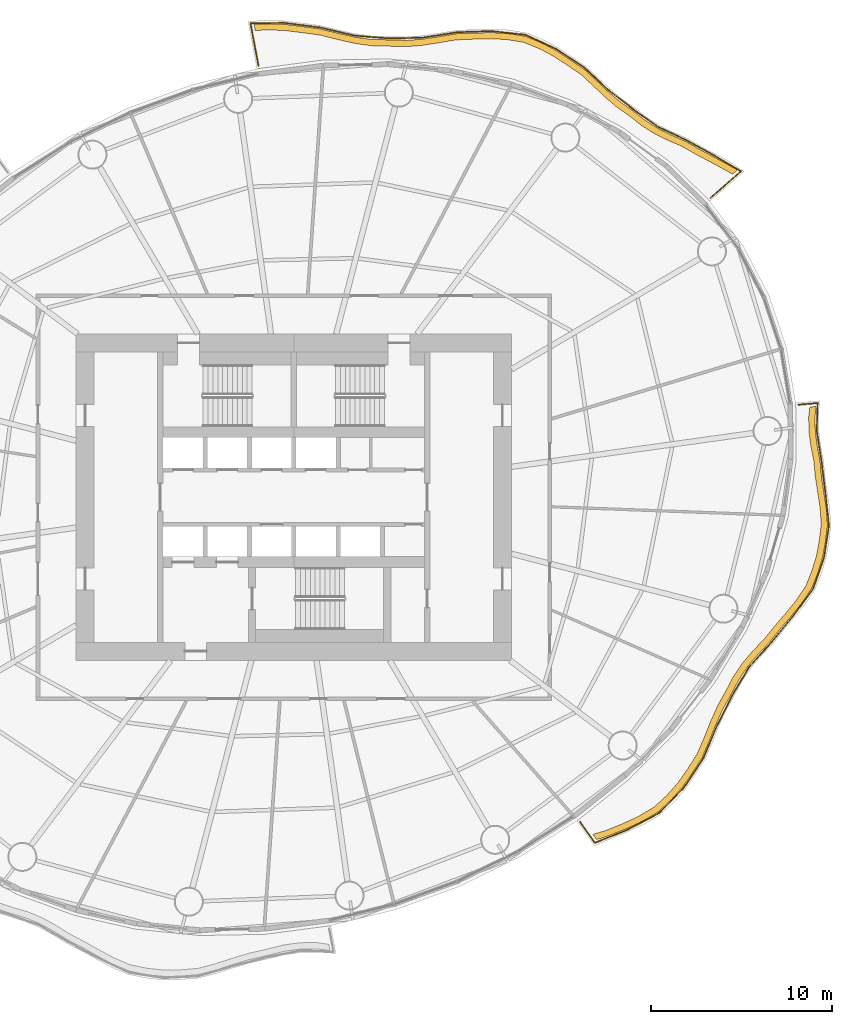
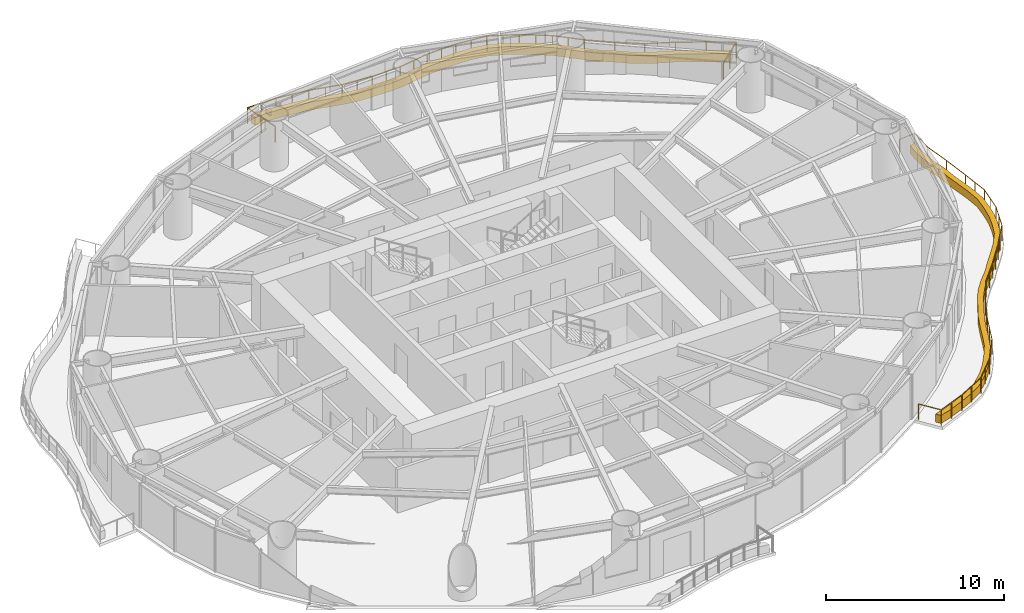
# One storey, part 14 of 14: 2 coverings, 2 railings.
"""IFC4 building model written with IfcOpenShell, lengths in metres."""

from ifc_helpers import new_model, si_unit, direction, frame, origin, origin_2d, place, context, subcontext, project, spatial, polyline, circle, outline, extrude, material, type_object, element, save


model = new_model("IFC4")

# Units and contexts
model_context = context("Model", 3, precision=1e-05, world=origin(), true_north=direction((0.0, 1.0)))
body_context = subcontext(model_context, "Body", "Model", "MODEL_VIEW")
ifc_project = project(units=[si_unit("LENGTHUNIT", "METRE"), si_unit("AREAUNIT", "SQUARE_METRE"), si_unit("VOLUMEUNIT", "CUBIC_METRE"), si_unit("PLANEANGLEUNIT", "RADIAN"), si_unit("MASSUNIT", "GRAM", prefix="KILO")], contexts=[model_context])

# Site, building, storey
site_placement = place(None, origin())
site = spatial("IfcSite", under=ifc_project, at=site_placement, CompositionType="ELEMENT")
building_placement = place(site_placement, origin())
building = spatial("IfcBuilding", under=site, at=building_placement, Name="Vermilion Reach Broadcast Tower", CompositionType="ELEMENT")
storey_placement = place(building_placement, frame((0.0, 0.0, 124.60009765625)))
storey = spatial("IfcBuildingStorey", under=building, at=storey_placement, Name="L29", CompositionType="ELEMENT", Elevation=124.60009765625)

# Coverings
ifc_material_1 = material(Name="Planting soil and greenery")
covering_type = type_object("IfcCoveringType", Name="Balcony PLANTER", PredefinedType="USERDEFINED", material=ifc_material_1)
placement = place(storey_placement, origin())
element("IfcCovering", 1, at=placement, inside=storey, type_object=covering_type, Name="PLANTER L29 group 1", ObjectType="PLANTER", PredefinedType="USERDEFINED", context=body_context, shape_type="SweptSolid", body=[
    extrude(outline(polyline([(18.453857421875, 18.035888671875), (17.857177734375, 18.369140625), (17.144287109375, 18.758544921875), (16.419921875, 19.13671875), (15.6279296875, 19.59765625), (14.78173828125, 19.97216796875), (14.05859375, 20.334716796875), (13.381103515625, 20.76025390625), (12.6904296875, 21.29931640625), (11.95166015625, 21.817626953125), (11.313720703125, 22.3623046875), (10.697265625, 22.9482421875), (9.977783203125, 23.6083984375), (9.15234375, 24.164306640625), (8.429443359375, 24.6337890625), (7.681640625, 25.03515625), (6.755859375, 25.40771484375), (5.747802734375, 25.5693359375), (4.873779296875, 25.610107421875), (3.98486328125, 25.5849609375), (2.983154296875, 25.547607421875), (1.971923828125, 25.382568359375), (1.07177734375, 25.24462890625), (0.178466796875, 25.1767578125), (-0.766845703125, 25.2080078125), (-1.729248046875, 25.23193359375), (-2.632080078125, 25.357666015625), (-3.536376953125, 25.561767578125), (-4.538330078125, 25.8095703125), (-5.577392578125, 25.948974609375), (-6.514892578125, 26.0634765625), (-7.44287109375, 26.102783203125), (-8.193603515625, 26.064453125), (-8.12890625, 25.720458984375), (-7.397216796875, 25.755859375), (-6.46923828125, 25.71630859375), (-5.53173828125, 25.60205078125), (-4.51220703125, 25.46044921875), (-3.530029296875, 25.2119140625), (-2.625732421875, 25.0078125), (-1.72314453125, 24.882080078125), (-0.781005859375, 24.8583984375), (0.143798828125, 24.828369140625), (1.037109375, 24.896240234375), (1.9375, 25.034423828125), (2.92724609375, 25.201904296875), (3.908203125, 25.243408203125), (4.796875, 25.2685546875), (5.6708984375, 25.227783203125), (6.657470703125, 25.07177734375), (7.561767578125, 24.706298828125), (8.3095703125, 24.304931640625), (9.032470703125, 23.83544921875), (9.8359375, 23.28857421875), (10.5341796875, 22.638427734375), (11.150634765625, 22.052734375), (11.78857421875, 21.508056640625), (12.505859375, 21.001953125), (13.17578125, 20.476806640625), (13.853271484375, 20.05126953125), (14.576416015625, 19.688720703125), (15.402099609375, 19.330322265625), (16.1748046875, 18.88671875), (16.899169921875, 18.5087890625), (17.612060546875, 18.119384765625), (18.190185546875, 17.805908203125), (18.453857421875, 18.035888671875)])), origin(), (0.0, 0.0, 1.0), 0.5498046875),
])
element("IfcCovering", 2, at=placement, inside=storey, type_object=covering_type, Name="PLANTER L29 group 4", ObjectType="PLANTER", PredefinedType="USERDEFINED", context=body_context, shape_type="SweptSolid", body=[
    extrude(outline(polyline([(10.6884765625, -18.86669921875), (11.40185546875, -18.64501953125), (12.28662109375, -18.287109375), (13.144775390625, -17.89599609375), (14.059814453125, -17.358642578125), (14.825439453125, -16.659423828125), (15.420166015625, -15.98095703125), (15.94580078125, -15.2333984375), (16.502197265625, -14.35107421875), (16.9140625, -13.402587890625), (17.25439453125, -12.547607421875), (17.6259765625, -11.716796875), (18.096435546875, -10.8779296875), (18.530517578125, -10.05419921875), (19.01318359375, -9.33935546875), (19.57470703125, -8.672119140625), (20.246826171875, -7.96435546875), (20.84765625, -7.211181640625), (21.42041015625, -6.54638671875), (21.97119140625, -5.871826171875), (22.53662109375, -5.030517578125), (22.900146484375, -4.119140625), (23.137451171875, -3.3359375), (23.29052734375, -2.528564453125), (23.41357421875, -1.548095703125), (23.340576171875, -0.572509765625), (23.216064453125, 0.251220703125), (23.089599609375, 1.074951171875), (23.004150390625, 1.9921875), (22.837646484375, 2.870361328125), (22.741455078125, 3.6513671875), (22.723876953125, 4.432861328125), (22.788818359375, 5.00244140625), (22.440185546875, 4.97216796875), (22.373779296875, 4.4296875), (22.391357421875, 3.64794921875), (22.48779296875, 2.8671875), (22.655029296875, 2.014892578125), (22.742919921875, 1.123779296875), (22.869384765625, 0.2998046875), (22.993896484375, -0.52392578125), (23.0712890625, -1.474853515625), (22.954345703125, -2.43115234375), (22.80126953125, -3.238525390625), (22.56396484375, -4.021728515625), (22.207763671875, -4.91064453125), (21.6513671875, -5.72998046875), (21.1005859375, -6.404541015625), (20.52783203125, -7.0693359375), (19.9365234375, -7.80224609375), (19.275390625, -8.490478515625), (18.714111328125, -9.15771484375), (18.231201171875, -9.872802734375), (17.808837890625, -10.678466796875), (17.35107421875, -11.500244140625), (16.979736328125, -12.330810546875), (16.63916015625, -13.18603515625), (16.240478515625, -14.11865234375), (15.6982421875, -14.986083984375), (15.172607421875, -15.733642578125), (14.577880859375, -16.412109375), (13.826416015625, -17.097900390625), (12.926513671875, -17.622314453125), (12.068359375, -18.013671875), (11.18359375, -18.37158203125), (10.4853515625, -18.58154296875), (10.6884765625, -18.86669921875)])), origin(), (0.0, 0.0, 1.0), 0.5498046875),
])

# Railings
ifc_material_2 = material(Name="Stainless steel 316 balustrade", Category="steel")
railing_type = type_object("IfcRailingType", Name="Balcony guard 1100", PredefinedType="BALUSTRADE", material=ifc_material_2)
railing_1_placement = place(storey_placement, frame((16.96337890625, 16.496826171875, 0.0)))
element("IfcRailing", 3, at=railing_1_placement, inside=storey, type_object=railing_type, Name="Balcony guard L29 group 1", PredefinedType="BALUSTRADE", context=body_context, shape_type="SweptSolid", body=[
    extrude(circle(Radius=0.02490234375, at=origin_2d()), frame((0.0, 0.0, 1.0751953125), z_axis=(0.7534039376, 0.657557987411, 0.0), x_axis=(-0.657557987411, 0.7534039376, 0.0)), (0.0, 0.0, 1.0), 2.228759765625),
    extrude(circle(Radius=0.02490234375, at=origin_2d()), frame((1.67919921875, 1.465576171875, 1.0751953125), z_axis=(-0.860677006431, 0.509151343513, 0.0), x_axis=(-0.509151343513, -0.860677006431, 0.0)), (0.0, 0.0, 1.0), 1.67578125),
    extrude(circle(Radius=0.02490234375, at=origin_2d()), frame((0.23681640625, 2.31884765625, 1.0751953125), z_axis=(-0.87460726852, 0.484832059431, 0.0), x_axis=(-0.484832059431, -0.87460726852, 0.0)), (0.0, 0.0, 1.0), 1.73876953125),
    extrude(circle(Radius=0.02490234375, at=origin_2d()), frame((-1.283935546875, 3.161865234375, 1.0751953125), z_axis=(-0.904812340796, 0.425810554052, 0.0), x_axis=(-0.425810554052, -0.904812340796, 0.0)), (0.0, 0.0, 1.0), 1.739501953125),
    extrude(circle(Radius=0.02490234375, at=origin_2d()), frame((-2.85791015625, 3.902587890625, 1.0751953125), z_axis=(-0.817322196666, 0.576180897668, 0.0), x_axis=(-0.576180897668, -0.817322196666, 0.0)), (0.0, 0.0, 1.0), 1.6796875),
    extrude(circle(Radius=0.02490234375, at=origin_2d()), frame((-4.230712890625, 4.870361328125, 1.0751953125), z_axis=(-0.791801585491, 0.610778396158, 0.0), x_axis=(-0.610778396158, -0.791801585491, 0.0)), (0.0, 0.0, 1.0), 1.7451171875),
    extrude(circle(Radius=0.02490234375, at=origin_2d()), frame((-5.612548828125, 5.936279296875, 1.0751953125), z_axis=(-0.731781661773, 0.681539140103, 0.0), x_axis=(-0.681539140103, -0.731781661773, 0.0)), (0.0, 0.0, 1.0), 1.83203125),
    extrude(circle(Radius=0.02490234375, at=origin_2d()), frame((-6.953125, 7.184814453125, 1.0751953125), z_axis=(-0.834101618371, 0.551610814098, 0.0), x_axis=(-0.551610814098, -0.834101618371, 0.0)), (0.0, 0.0, 1.0), 1.862548828125),
    extrude(circle(Radius=0.02490234375, at=origin_2d()), frame((-8.506591796875, 8.212158203125, 1.0751953125), z_axis=(-0.907789240568, 0.419426626134, 0.0), x_axis=(-0.419426626134, -0.907789240568, 0.0)), (0.0, 0.0, 1.0), 1.8486328125),
    extrude(circle(Radius=0.02490234375, at=origin_2d()), frame((-10.184814453125, 8.987548828125, 1.0751953125), z_axis=(-0.994230055556, 0.107268805477, 0.0), x_axis=(-0.107268805477, -0.994230055556, 0.0)), (0.0, 0.0, 1.0), 1.898193359375),
    extrude(circle(Radius=0.02490234375, at=origin_2d()), frame((-12.072021484375, 9.191162109375, 1.0751953125), z_axis=(-0.999473671297, -0.032440412824, 0.0), x_axis=(0.032440412824, -0.999473671297, 0.0)), (0.0, 0.0, 1.0), 1.896484375),
    extrude(circle(Radius=0.02490234375, at=origin_2d()), frame((-13.967529296875, 9.129638671875, 1.0751953125), z_axis=(-0.98778846204, -0.155801008537, 0.0), x_axis=(0.155801008537, -0.98778846204, 0.0)), (0.0, 0.0, 1.0), 1.93994140625),
    extrude(circle(Radius=0.02490234375, at=origin_2d()), frame((-15.8837890625, 8.827392578125, 1.0751953125), z_axis=(-0.999805319792, -0.019731257305, 0.0), x_axis=(0.019731257305, -0.999805319792, 0.0)), (0.0, 0.0, 1.0), 1.843505859375),
    extrude(circle(Radius=0.02490234375, at=origin_2d()), frame((-17.72705078125, 8.791015625, 1.0751953125), z_axis=(-0.996802022409, 0.07991075098, 0.0), x_axis=(-0.07991075098, -0.996802022409, 0.0)), (0.0, 0.0, 1.0), 1.8759765625),
    extrude(circle(Radius=0.02490234375, at=origin_2d()), frame((-19.596923828125, 8.94091796875, 1.0751953125), z_axis=(-0.973178538891, 0.230051149623, 0.0), x_axis=(-0.230051149623, -0.973178538891, 0.0)), (0.0, 0.0, 1.0), 1.96337890625),
    extrude(circle(Radius=0.02490234375, at=origin_2d()), frame((-21.507568359375, 9.392578125, 1.0751953125), z_axis=(-0.991933764119, 0.126757278298, 0.0), x_axis=(-0.126757278298, -0.991933764119, 0.0)), (0.0, 0.0, 1.0), 1.997314453125),
    extrude(circle(Radius=0.02490234375, at=origin_2d()), frame((-23.48876953125, 9.645751953125, 1.0751953125), z_axis=(-0.999924020485, -0.012326932187, 0.0), x_axis=(0.012326932187, -0.999924020485, 0.0)), (0.0, 0.0, 1.0), 1.86181640625),
    extrude(circle(Radius=0.02490234375, at=origin_2d()), frame((-25.350341796875, 9.622802734375, 1.0751953125), z_axis=(0.184640960033, -0.98280604184, 0.0), x_axis=(0.98280604184, 0.184640960033, 0.0)), (0.0, 0.0, 1.0), 2.384033203125),
    extrude(circle(Radius=0.02490234375, at=origin_2d()), origin(), (0.0, 0.0, 1.0), 1.050048828125),
    extrude(circle(Radius=0.02490234375, at=origin_2d()), frame((0.839599609375, 0.73291015625, 0.0)), (0.0, 0.0, 1.0), 1.050048828125),
    extrude(circle(Radius=0.02490234375, at=origin_2d()), frame((1.67919921875, 1.465576171875, 0.0)), (0.0, 0.0, 1.0), 1.050048828125),
    extrude(circle(Radius=0.02490234375, at=origin_2d()), frame((0.23681640625, 2.31884765625, 0.0)), (0.0, 0.0, 1.0), 1.050048828125),
    extrude(circle(Radius=0.02490234375, at=origin_2d()), frame((-1.283935546875, 3.161865234375, 0.0)), (0.0, 0.0, 1.0), 1.050048828125),
    extrude(circle(Radius=0.02490234375, at=origin_2d()), frame((-2.85791015625, 3.902587890625, 0.0)), (0.0, 0.0, 1.0), 1.050048828125),
    extrude(circle(Radius=0.02490234375, at=origin_2d()), frame((-4.230712890625, 4.870361328125, 0.0)), (0.0, 0.0, 1.0), 1.050048828125),
    extrude(circle(Radius=0.02490234375, at=origin_2d()), frame((-5.612548828125, 5.936279296875, 0.0)), (0.0, 0.0, 1.0), 1.050048828125),
    extrude(circle(Radius=0.02490234375, at=origin_2d()), frame((-6.28271484375, 6.560546875, 0.0)), (0.0, 0.0, 1.0), 1.050048828125),
    extrude(circle(Radius=0.02490234375, at=origin_2d()), frame((-6.953125, 7.184814453125, 0.0)), (0.0, 0.0, 1.0), 1.050048828125),
    extrude(circle(Radius=0.02490234375, at=origin_2d()), frame((-7.72998046875, 7.698486328125, 0.0)), (0.0, 0.0, 1.0), 1.050048828125),
    extrude(circle(Radius=0.02490234375, at=origin_2d()), frame((-8.506591796875, 8.212158203125, 0.0)), (0.0, 0.0, 1.0), 1.050048828125),
    extrude(circle(Radius=0.02490234375, at=origin_2d()), frame((-9.345703125, 8.599853515625, 0.0)), (0.0, 0.0, 1.0), 1.050048828125),
    extrude(circle(Radius=0.02490234375, at=origin_2d()), frame((-10.184814453125, 8.987548828125, 0.0)), (0.0, 0.0, 1.0), 1.050048828125),
    extrude(circle(Radius=0.02490234375, at=origin_2d()), frame((-11.12841796875, 9.08935546875, 0.0)), (0.0, 0.0, 1.0), 1.050048828125),
    extrude(circle(Radius=0.02490234375, at=origin_2d()), frame((-12.072021484375, 9.191162109375, 0.0)), (0.0, 0.0, 1.0), 1.050048828125),
    extrude(circle(Radius=0.02490234375, at=origin_2d()), frame((-13.019775390625, 9.160400390625, 0.0)), (0.0, 0.0, 1.0), 1.050048828125),
    extrude(circle(Radius=0.02490234375, at=origin_2d()), frame((-13.967529296875, 9.129638671875, 0.0)), (0.0, 0.0, 1.0), 1.050048828125),
    extrude(circle(Radius=0.02490234375, at=origin_2d()), frame((-14.92578125, 8.978515625, 0.0)), (0.0, 0.0, 1.0), 1.050048828125),
    extrude(circle(Radius=0.02490234375, at=origin_2d()), frame((-15.8837890625, 8.827392578125, 0.0)), (0.0, 0.0, 1.0), 1.050048828125),
    extrude(circle(Radius=0.02490234375, at=origin_2d()), frame((-16.805419921875, 8.80908203125, 0.0)), (0.0, 0.0, 1.0), 1.050048828125),
    extrude(circle(Radius=0.02490234375, at=origin_2d()), frame((-17.72705078125, 8.791015625, 0.0)), (0.0, 0.0, 1.0), 1.050048828125),
    extrude(circle(Radius=0.02490234375, at=origin_2d()), frame((-18.662109375, 8.865966796875, 0.0)), (0.0, 0.0, 1.0), 1.050048828125),
    extrude(circle(Radius=0.02490234375, at=origin_2d()), frame((-19.596923828125, 8.94091796875, 0.0)), (0.0, 0.0, 1.0), 1.050048828125),
    extrude(circle(Radius=0.02490234375, at=origin_2d()), frame((-20.55224609375, 9.166748046875, 0.0)), (0.0, 0.0, 1.0), 1.050048828125),
    extrude(circle(Radius=0.02490234375, at=origin_2d()), frame((-21.507568359375, 9.392578125, 0.0)), (0.0, 0.0, 1.0), 1.050048828125),
    extrude(circle(Radius=0.02490234375, at=origin_2d()), frame((-22.498046875, 9.51904296875, 0.0)), (0.0, 0.0, 1.0), 1.050048828125),
    extrude(circle(Radius=0.02490234375, at=origin_2d()), frame((-23.48876953125, 9.645751953125, 0.0)), (0.0, 0.0, 1.0), 1.050048828125),
    extrude(circle(Radius=0.02490234375, at=origin_2d()), frame((-24.41943359375, 9.63427734375, 0.0)), (0.0, 0.0, 1.0), 1.050048828125),
    extrude(circle(Radius=0.02490234375, at=origin_2d()), frame((-25.350341796875, 9.622802734375, 0.0)), (0.0, 0.0, 1.0), 1.050048828125),
    extrude(circle(Radius=0.02490234375, at=origin_2d()), frame((-25.13037109375, 8.451171875, 0.0)), (0.0, 0.0, 1.0), 1.050048828125),
    extrude(circle(Radius=0.02490234375, at=origin_2d()), frame((-24.91015625, 7.27978515625, 0.0)), (0.0, 0.0, 1.0), 1.050048828125),
])
railing_2_placement = place(storey_placement, frame((9.776123046875, -17.89501953125, 0.0)))
element("IfcRailing", 4, at=railing_2_placement, inside=storey, type_object=railing_type, Name="Balcony guard L29 group 4", PredefinedType="BALUSTRADE", context=body_context, shape_type="SweptSolid", body=[
    extrude(circle(Radius=0.02490234375, at=origin_2d()), frame((0.0, 0.0, 1.0751953125), z_axis=(0.579845620577, -0.814726368972, 0.0), x_axis=(0.814726368972, 0.579845620577, 0.0)), (0.0, 0.0, 1.0), 1.410400390625),
    extrude(circle(Radius=0.02490234375, at=origin_2d()), frame((0.81787109375, -1.149169921875, 1.0751953125), z_axis=(0.928915873739, 0.370290830992, 0.0), x_axis=(-0.370290830992, 0.928915873739, 0.0)), (0.0, 0.0, 1.0), 1.875732421875),
    extrude(circle(Radius=0.02490234375, at=origin_2d()), frame((2.560302734375, -0.45458984375, 1.0751953125), z_axis=(0.885669492647, 0.464316217459, 0.0), x_axis=(-0.464316217459, 0.885669492647, 0.0)), (0.0, 0.0, 1.0), 2.005859375),
    extrude(circle(Radius=0.02490234375, at=origin_2d()), frame((4.3369140625, 0.476806640625, 1.0751953125), z_axis=(0.702753148225, 0.711433772505, 0.0), x_axis=(-0.711433772505, 0.702753148225, 0.0)), (0.0, 0.0, 1.0), 1.940673828125),
    extrude(circle(Radius=0.02490234375, at=origin_2d()), frame((5.70068359375, 1.857421875, 1.0751953125), z_axis=(0.553349249648, 0.832949342946, 0.0), x_axis=(-0.832949342946, 0.553349249648, 0.0)), (0.0, 0.0, 1.0), 1.961181640625),
    extrude(circle(Radius=0.02490234375, at=origin_2d()), frame((6.785888671875, 3.490966796875, 1.0751953125), z_axis=(0.38570388007, 0.922622629735, 0.0), x_axis=(-0.922622629735, 0.38570388007, 0.0)), (0.0, 0.0, 1.0), 1.95849609375),
    extrude(circle(Radius=0.02490234375, at=origin_2d()), frame((7.541259765625, 5.2978515625, 1.0751953125), z_axis=(0.450596375277, 0.892727789747, 0.0), x_axis=(-0.892727789747, 0.450596375277, 0.0)), (0.0, 0.0, 1.0), 1.874755859375),
    extrude(circle(Radius=0.02490234375, at=origin_2d()), frame((8.385986328125, 6.971435546875, 1.0751953125), z_axis=(0.511954598218, 0.859012508269, 0.0), x_axis=(-0.859012508269, 0.511954598218, 0.0)), (0.0, 0.0, 1.0), 1.7958984375),
    extrude(circle(Radius=0.02490234375, at=origin_2d()), frame((9.305419921875, 8.51416015625, 1.0751953125), z_axis=(0.667295542997, 0.74479303051, 0.0), x_axis=(-0.74479303051, 0.667295542997, 0.0)), (0.0, 0.0, 1.0), 1.852294921875),
    extrude(circle(Radius=0.02490234375, at=origin_2d()), frame((10.54150390625, 9.893798828125, 1.0751953125), z_axis=(0.637212990388, 0.770687747976, 0.0), x_axis=(-0.770687747976, 0.637212990388, 0.0)), (0.0, 0.0, 1.0), 1.845458984375),
    extrude(circle(Radius=0.02490234375, at=origin_2d()), frame((11.717529296875, 11.316162109375, 1.0751953125), z_axis=(0.592316381014, 0.805705470245, 0.0), x_axis=(-0.805705470245, 0.592316381014, 0.0)), (0.0, 0.0, 1.0), 1.8876953125),
    extrude(circle(Radius=0.02490234375, at=origin_2d()), frame((12.835693359375, 12.837158203125, 1.0751953125), z_axis=(0.334002523394, 0.942572179924, 0.0), x_axis=(-0.942572179924, 0.334002523394, 0.0)), (0.0, 0.0, 1.0), 1.80322265625),
    extrude(circle(Radius=0.02490234375, at=origin_2d()), frame((13.43798828125, 14.536865234375, 1.0751953125), z_axis=(0.152977154234, 0.98822972546, 0.0), x_axis=(-0.98822972546, 0.152977154234, 0.0)), (0.0, 0.0, 1.0), 1.814453125),
    extrude(circle(Radius=0.02490234375, at=origin_2d()), frame((13.715576171875, 16.330078125, 1.0751953125), z_axis=(-0.108246969673, 0.994124033286, 0.0), x_axis=(-0.994124033286, -0.108246969673, 0.0)), (0.0, 0.0, 1.0), 1.815673828125),
    extrude(circle(Radius=0.02490234375, at=origin_2d()), frame((13.51904296875, 18.135009765625, 1.0751953125), z_axis=(-0.120004051521, 0.99277340195, 0.0), x_axis=(-0.99277340195, -0.120004051521, 0.0)), (0.0, 0.0, 1.0), 1.759765625),
    extrude(circle(Radius=0.02490234375, at=origin_2d()), frame((13.307861328125, 19.882080078125, 1.0751953125), z_axis=(-0.155843571925, 0.9877817477, 0.0), x_axis=(-0.9877817477, -0.155843571925, 0.0)), (0.0, 0.0, 1.0), 1.685546875),
    extrude(circle(Radius=0.02490234375, at=origin_2d()), frame((13.045166015625, 21.547119140625, 1.0751953125), z_axis=(0.029683594968, 0.999559345006, 0.0), x_axis=(-0.999559345006, 0.029683594968, 0.0)), (0.0, 0.0, 1.0), 1.5380859375),
    extrude(circle(Radius=0.02490234375, at=origin_2d()), frame((13.0908203125, 23.08447265625, 1.0751953125), z_axis=(-0.996238858535, -0.086649505161, 0.0), x_axis=(0.086649505161, -0.996238858535, 0.0)), (0.0, 0.0, 1.0), 1.059326171875),
    extrude(circle(Radius=0.02490234375, at=origin_2d()), origin(), (0.0, 0.0, 1.0), 1.050048828125),
    extrude(circle(Radius=0.02490234375, at=origin_2d()), frame((0.81787109375, -1.149169921875, 0.0)), (0.0, 0.0, 1.0), 1.050048828125),
    extrude(circle(Radius=0.02490234375, at=origin_2d()), frame((1.68896484375, -0.8017578125, 0.0)), (0.0, 0.0, 1.0), 1.050048828125),
    extrude(circle(Radius=0.02490234375, at=origin_2d()), frame((2.560302734375, -0.45458984375, 0.0)), (0.0, 0.0, 1.0), 1.050048828125),
    extrude(circle(Radius=0.02490234375, at=origin_2d()), frame((3.44873046875, 0.01123046875, 0.0)), (0.0, 0.0, 1.0), 1.050048828125),
    extrude(circle(Radius=0.02490234375, at=origin_2d()), frame((4.3369140625, 0.476806640625, 0.0)), (0.0, 0.0, 1.0), 1.050048828125),
    extrude(circle(Radius=0.02490234375, at=origin_2d()), frame((5.018798828125, 1.1669921875, 0.0)), (0.0, 0.0, 1.0), 1.050048828125),
    extrude(circle(Radius=0.02490234375, at=origin_2d()), frame((5.70068359375, 1.857421875, 0.0)), (0.0, 0.0, 1.0), 1.050048828125),
    extrude(circle(Radius=0.02490234375, at=origin_2d()), frame((6.2431640625, 2.67431640625, 0.0)), (0.0, 0.0, 1.0), 1.050048828125),
    extrude(circle(Radius=0.02490234375, at=origin_2d()), frame((6.785888671875, 3.490966796875, 0.0)), (0.0, 0.0, 1.0), 1.050048828125),
    extrude(circle(Radius=0.02490234375, at=origin_2d()), frame((7.16357421875, 4.39453125, 0.0)), (0.0, 0.0, 1.0), 1.050048828125),
    extrude(circle(Radius=0.02490234375, at=origin_2d()), frame((7.541259765625, 5.2978515625, 0.0)), (0.0, 0.0, 1.0), 1.050048828125),
    extrude(circle(Radius=0.02490234375, at=origin_2d()), frame((7.963623046875, 6.134765625, 0.0)), (0.0, 0.0, 1.0), 1.050048828125),
    extrude(circle(Radius=0.02490234375, at=origin_2d()), frame((8.385986328125, 6.971435546875, 0.0)), (0.0, 0.0, 1.0), 1.050048828125),
    extrude(circle(Radius=0.02490234375, at=origin_2d()), frame((9.305419921875, 8.51416015625, 0.0)), (0.0, 0.0, 1.0), 1.050048828125),
    extrude(circle(Radius=0.02490234375, at=origin_2d()), frame((9.92333984375, 9.2041015625, 0.0)), (0.0, 0.0, 1.0), 1.050048828125),
    extrude(circle(Radius=0.02490234375, at=origin_2d()), frame((10.54150390625, 9.893798828125, 0.0)), (0.0, 0.0, 1.0), 1.050048828125),
    extrude(circle(Radius=0.02490234375, at=origin_2d()), frame((11.12939453125, 10.60498046875, 0.0)), (0.0, 0.0, 1.0), 1.050048828125),
    extrude(circle(Radius=0.02490234375, at=origin_2d()), frame((11.717529296875, 11.316162109375, 0.0)), (0.0, 0.0, 1.0), 1.050048828125),
    extrude(circle(Radius=0.02490234375, at=origin_2d()), frame((12.276611328125, 12.07666015625, 0.0)), (0.0, 0.0, 1.0), 1.050048828125),
    extrude(circle(Radius=0.02490234375, at=origin_2d()), frame((12.835693359375, 12.837158203125, 0.0)), (0.0, 0.0, 1.0), 1.050048828125),
    extrude(circle(Radius=0.02490234375, at=origin_2d()), frame((13.13671875, 13.68701171875, 0.0)), (0.0, 0.0, 1.0), 1.050048828125),
    extrude(circle(Radius=0.02490234375, at=origin_2d()), frame((13.43798828125, 14.536865234375, 0.0)), (0.0, 0.0, 1.0), 1.050048828125),
    extrude(circle(Radius=0.02490234375, at=origin_2d()), frame((13.57666015625, 15.43359375, 0.0)), (0.0, 0.0, 1.0), 1.050048828125),
    extrude(circle(Radius=0.02490234375, at=origin_2d()), frame((13.715576171875, 16.330078125, 0.0)), (0.0, 0.0, 1.0), 1.050048828125),
    extrude(circle(Radius=0.02490234375, at=origin_2d()), frame((13.6171875, 17.232421875, 0.0)), (0.0, 0.0, 1.0), 1.050048828125),
    extrude(circle(Radius=0.02490234375, at=origin_2d()), frame((13.51904296875, 18.135009765625, 0.0)), (0.0, 0.0, 1.0), 1.050048828125),
    extrude(circle(Radius=0.02490234375, at=origin_2d()), frame((13.307861328125, 19.882080078125, 0.0)), (0.0, 0.0, 1.0), 1.050048828125),
    extrude(circle(Radius=0.02490234375, at=origin_2d()), frame((13.045166015625, 21.547119140625, 0.0)), (0.0, 0.0, 1.0), 1.050048828125),
    extrude(circle(Radius=0.02490234375, at=origin_2d()), frame((13.0908203125, 23.08447265625, 0.0)), (0.0, 0.0, 1.0), 1.050048828125),
    extrude(circle(Radius=0.02490234375, at=origin_2d()), frame((12.035400390625, 22.99267578125, 0.0)), (0.0, 0.0, 1.0), 1.050048828125),
])

save(model, "model.ifc")
